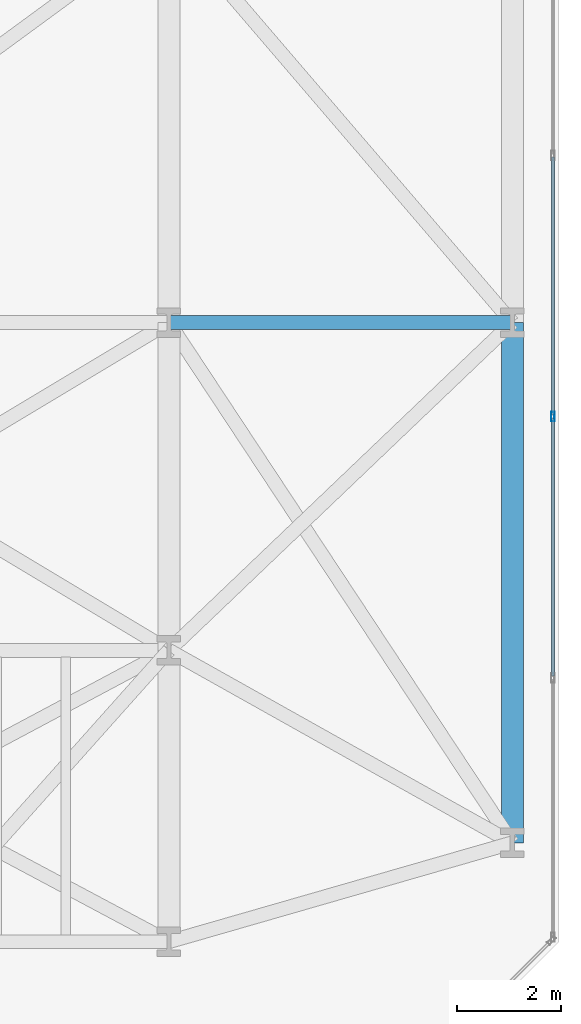
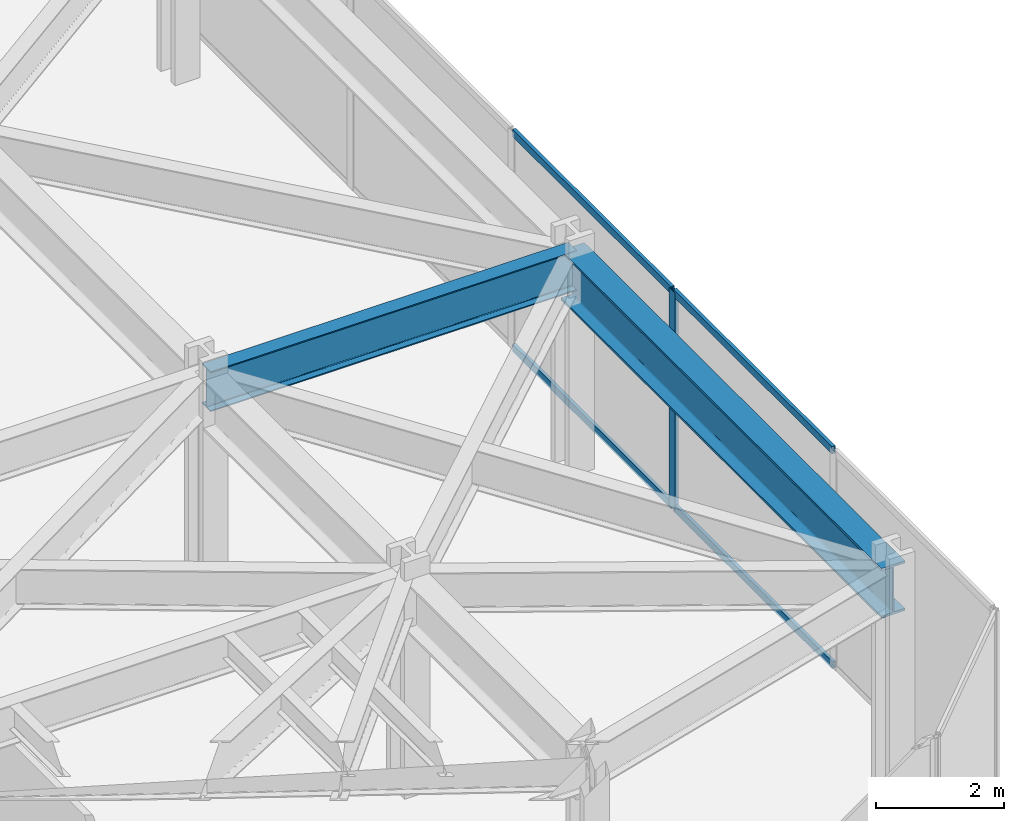
# One storey, part 22 of 30: 5 members, 2 beams, 1 element without a shape of its own.
"""IFC4 building model written with IfcOpenShell, lengths in metres."""

from ifc_helpers import new_model, si_unit, direction, frame, origin, origin_2d, place, context, subcontext, project, spatial, hollow_rectangle, i_section, extrude, material, layer, layer_set, material_profile, profile_set, type_object, element, aggregate, save


model = new_model("IFC4")

# Units and contexts
model_context = context("Model", 3, precision=1e-05, world=origin(), true_north=direction((0.0, 1.0)))
body_context = subcontext(model_context, "Body", "Model", "MODEL_VIEW")
ifc_project = project(units=[si_unit("LENGTHUNIT", "METRE"), si_unit("AREAUNIT", "SQUARE_METRE"), si_unit("VOLUMEUNIT", "CUBIC_METRE"), si_unit("PLANEANGLEUNIT", "RADIAN"), si_unit("MASSUNIT", "GRAM", prefix="KILO")], contexts=[model_context])

# Site, building, storey
site_placement = place(None, origin())
site = spatial("IfcSite", under=ifc_project, at=site_placement, CompositionType="ELEMENT")
building_placement = place(site_placement, origin())
building = spatial("IfcBuilding", under=site, at=building_placement, Name="Kravanh Interchange Tower", CompositionType="ELEMENT")
storey_placement = place(building_placement, frame((0.0, 0.0, 19.800048828125)))
storey = spatial("IfcBuildingStorey", under=building, at=storey_placement, Name="L04", CompositionType="ELEMENT", Elevation=19.800048828125)

# Curtain wall, members
ifc_material_1 = material(Name="Anodised Bronze Aluminium", Category="aluminium")
ifc_layer = layer(ifc_material_1, 0.179931640625)
ifc_layer_set = layer_set([ifc_layer], Name="Unitised Curtain Wall System CW-POD Podium Concourse")
curtain_wall_type = type_object("IfcCurtainWallType", Name="Unitised Curtain Wall System CW-POD Podium Concourse", PredefinedType="NOTDEFINED", material=ifc_layer_set)
curtain_wall_placement = place(storey_placement, origin())
curtain_wall = element("IfcCurtainWall", 1, at=curtain_wall_placement, inside=storey, type_object=curtain_wall_type, Name="L04 Unitised Curtain Wall CW-L04-02", PredefinedType="NOTDEFINED")
ifc_material_2 = material(Name="Anodised Bronze Aluminium", Category="aluminium")
ifc_material_profile_1 = material_profile(ifc_material_2, hollow_rectangle(XDim=0.070068359375, YDim=0.179931640625, WallThickness=0.00390625, at=origin_2d()), Name="ALU70X180X4")
ifc_profile_set_1 = profile_set([ifc_material_profile_1], Name="Anodised Bronze Aluminium")
member_type_1 = type_object("IfcMemberType", Name="Curtain Wall Mullion ALU70X180X4 Bronze", PredefinedType="MULLION", material=ifc_profile_set_1)
member_1_placement = place(storey_placement, frame((73.8798828125, 12.692626953125, 0.0), z_axis=(0.0, 0.0, 1.0), x_axis=(1.0, 0.0, 0.0)))
member_1 = element("IfcMember", 2, at=member_1_placement, type_object=member_type_1, Name="CW-POD mullion 6", PredefinedType="MULLION", context=body_context, shape_type="SweptSolid", body=[
    extrude(hollow_rectangle(XDim=0.070068359375, YDim=0.179931640625, WallThickness=0.00390625, at=origin_2d()), origin(), (0.0, 0.0, 1.0), 4.14990234375),
])
ifc_material_3 = material(Name="Anodised Bronze Aluminium", Category="aluminium")
ifc_material_profile_2 = material_profile(ifc_material_3, hollow_rectangle(XDim=0.06005859375, YDim=0.139892578125, WallThickness=0.00390625, at=origin_2d()), Name="ALU60X140X4")
ifc_profile_set_2 = profile_set([ifc_material_profile_2], Name="Anodised Bronze Aluminium")
member_type_2 = type_object("IfcMemberType", Name="Curtain Wall Transom ALU60X140X4 Bronze", PredefinedType="USERDEFINED", material=ifc_profile_set_2)
member_2_placement = place(storey_placement, frame((73.8798828125, 17.67919921875, 0.030029296875), z_axis=(0.0, -1.0, 0.0), x_axis=(1.0, 0.0, 0.0)))
member_2 = element("IfcMember", 3, at=member_2_placement, type_object=member_type_2, Name="CW-POD transom 5.1", ObjectType="TRANSOM", PredefinedType="USERDEFINED", context=body_context, shape_type="SweptSolid", body=[
    extrude(hollow_rectangle(XDim=0.06005859375, YDim=0.139892578125, WallThickness=0.00390625, at=origin_2d()), origin(), (0.0, 0.0, 1.0), 4.95166015625),
])
member_3_placement = place(storey_placement, frame((73.8798828125, 17.67919921875, 4.119873046875), z_axis=(0.0, -1.0, 0.0), x_axis=(1.0, 0.0, 0.0)))
member_3 = element("IfcMember", 4, at=member_3_placement, type_object=member_type_2, Name="CW-POD transom 5.2", ObjectType="TRANSOM", PredefinedType="USERDEFINED", context=body_context, shape_type="SweptSolid", body=[
    extrude(hollow_rectangle(XDim=0.06005859375, YDim=0.139892578125, WallThickness=0.00390625, at=origin_2d()), origin(), (0.0, 0.0, 1.0), 4.95166015625),
])
member_4_placement = place(storey_placement, frame((73.8798828125, 12.65771484375, 0.030029296875), z_axis=(0.0, -1.0, 0.0), x_axis=(1.0, 0.0, 0.0)))
member_4 = element("IfcMember", 5, at=member_4_placement, type_object=member_type_2, Name="CW-POD transom 6.1", ObjectType="TRANSOM", PredefinedType="USERDEFINED", context=body_context, shape_type="SweptSolid", body=[
    extrude(hollow_rectangle(XDim=0.06005859375, YDim=0.139892578125, WallThickness=0.00390625, at=origin_2d()), origin(), (0.0, 0.0, 1.0), 4.95166015625),
])
member_5_placement = place(storey_placement, frame((73.8798828125, 12.65771484375, 4.119873046875), z_axis=(0.0, -1.0, 0.0), x_axis=(1.0, 0.0, 0.0)))
member_5 = element("IfcMember", 6, at=member_5_placement, type_object=member_type_2, Name="CW-POD transom 6.2", ObjectType="TRANSOM", PredefinedType="USERDEFINED", context=body_context, shape_type="SweptSolid", body=[
    extrude(hollow_rectangle(XDim=0.06005859375, YDim=0.139892578125, WallThickness=0.00390625, at=origin_2d()), origin(), (0.0, 0.0, 1.0), 4.95166015625),
])
aggregate(curtain_wall, [member_1, member_2, member_3, member_4, member_5])

# Beams
ifc_material_4 = material(Name="Structural Steel S450", Category="steel")
ifc_material_profile_3 = material_profile(ifc_material_4, i_section(OverallWidth=0.423095703125, OverallDepth=0.947998046875, WebThickness=0.02392578125, FlangeThickness=0.042724609375, FilletRadius=0.028076171875, at=origin_2d()), Name="W36X302")
ifc_profile_set_3 = profile_set([ifc_material_profile_3], Name="Structural Steel S450")
beam_type_1 = type_object("IfcBeamType", Name="Floor Beam W36X302 Structural Steel S450", PredefinedType="BEAM", material=ifc_profile_set_3)
beam_1_placement = place(storey_placement, frame((73.10009765625, 4.5, 3.676025390625), z_axis=(0.0, 1.0, 0.0), x_axis=(-1.0, 0.0, 0.0)))
element("IfcBeam", 7, at=beam_1_placement, inside=storey, type_object=beam_type_1, Name="L04 Primary Floor Girder 127", PredefinedType="BEAM", context=body_context, shape_type="SweptSolid", body=[
    extrude(i_section(OverallWidth=0.423095703125, OverallDepth=0.947998046875, WebThickness=0.02392578125, FlangeThickness=0.042724609375, FilletRadius=0.028076171875, at=origin_2d()), origin(), (0.0, 0.0, 1.0), 10.0),
])
ifc_material_5 = material(Name="Structural Steel S355", Category="steel")
ifc_material_profile_4 = material_profile(ifc_material_5, i_section(OverallWidth=0.26708984375, OverallDepth=0.761962890625, WebThickness=0.014404296875, FlangeThickness=0.021484375, FilletRadius=0.02490234375, at=origin_2d()), Name="W30X116")
ifc_profile_set_4 = profile_set([ifc_material_profile_4], Name="Structural Steel S355")
beam_type_2 = type_object("IfcBeamType", Name="Floor Spandrel W30X116 Structural Steel S355", PredefinedType="SPANDREL", material=ifc_profile_set_4)
beam_2_placement = place(storey_placement, frame((66.5, 14.5, 3.76904296875), z_axis=(1.0, 0.0, 0.0), x_axis=(0.0, 1.0, 0.0)))
element("IfcBeam", 8, at=beam_2_placement, inside=storey, type_object=beam_type_2, Name="L04 Perimeter Spandrel 53", PredefinedType="SPANDREL", context=body_context, shape_type="SweptSolid", body=[
    extrude(i_section(OverallWidth=0.26708984375, OverallDepth=0.761962890625, WebThickness=0.014404296875, FlangeThickness=0.021484375, FilletRadius=0.02490234375, at=origin_2d()), origin(), (0.0, 0.0, 1.0), 6.60009765625),
])

save(model, "model.ifc")
